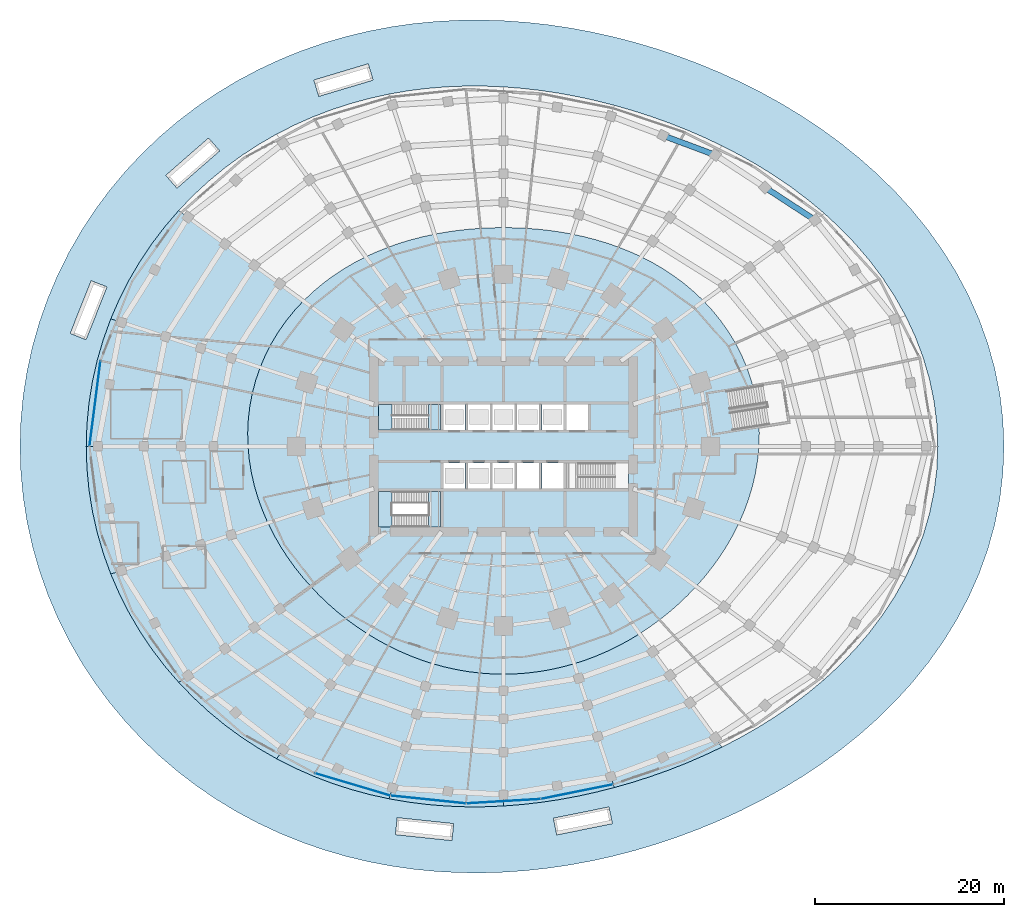
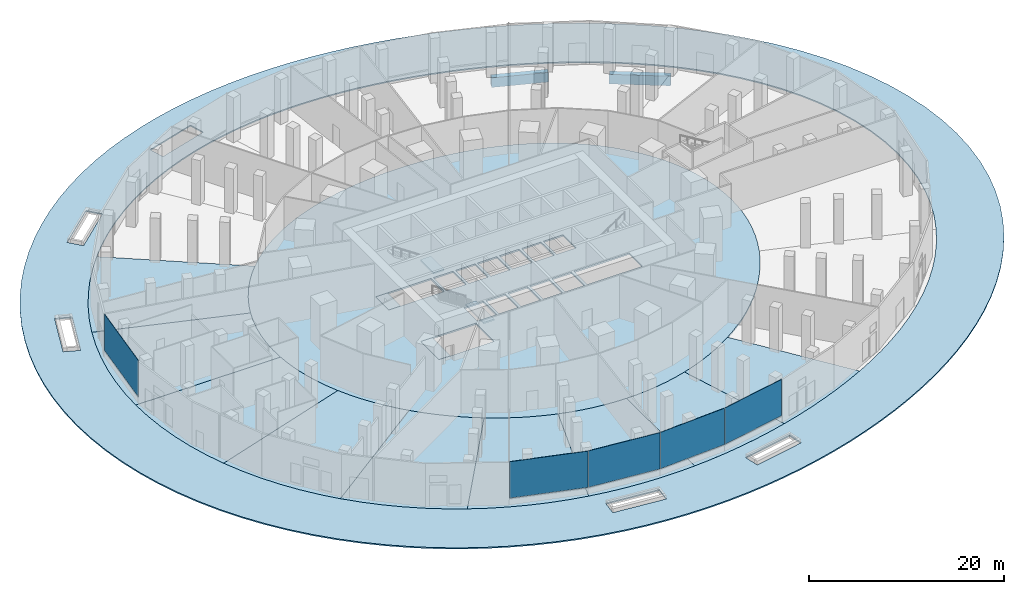
# One storey, part 12 of 23: 15 slabs, 5 plates, 2 beams, 4 elements without a shape of their own.
"""IFC4 building model written with IfcOpenShell, lengths in metres."""

from ifc_helpers import new_model, si_unit, direction, frame, origin, origin_2d, place, context, subcontext, project, spatial, polyline, rectangle, outline, extrude, material, layer, layer_set, material_profile, profile_set, type_object, element, aggregate, save


model = new_model("IFC4")

# Units and contexts
model_context = context("Model", 3, precision=1e-05, world=origin(), true_north=direction((0.0, 1.0)))
body_context = subcontext(model_context, "Body", "Model", "MODEL_VIEW")
ifc_project = project(units=[si_unit("LENGTHUNIT", "METRE"), si_unit("AREAUNIT", "SQUARE_METRE"), si_unit("VOLUMEUNIT", "CUBIC_METRE"), si_unit("PLANEANGLEUNIT", "RADIAN"), si_unit("MASSUNIT", "GRAM", prefix="KILO")], contexts=[model_context])

# Site, building, storey
site_placement = place(None, origin())
site = spatial("IfcSite", under=ifc_project, at=site_placement, CompositionType="ELEMENT")
building_placement = place(site_placement, origin())
building = spatial("IfcBuilding", under=site, at=building_placement, Name="Marramba Exchange Tower", CompositionType="ELEMENT")
storey_placement = place(building_placement, origin())
storey = spatial("IfcBuildingStorey", under=building, at=storey_placement, Name="L00", CompositionType="ELEMENT", Elevation=0.0)

# Beams
ifc_material_1 = material(Name="Concrete N50", Category="concrete")
ifc_material_profile = material_profile(ifc_material_1, rectangle(XDim=0.60009765625, YDim=1.199951171875, at=origin_2d()), Name="RC 600x1200")
ifc_profile_set = profile_set([ifc_material_profile], Name="Concrete N50")
beam_type = type_object("IfcBeamType", Name="Edge beam RC 600x1200 N50", PredefinedType="SPANDREL", material=ifc_profile_set)
beam_1_placement = place(storey_placement, frame((32.93017578125, 23.92529296875, -0.800048828125), z_axis=(-0.837726274184, 0.54609036756, 0.0), x_axis=(-0.54609036756, -0.837726274184, 0.0)))
element("IfcBeam", 1, at=beam_1_placement, inside=storey, type_object=beam_type, Name="Edge beam L00 P0C03 half 1", PredefinedType="SPANDREL", context=body_context, shape_type="SweptSolid", body=[
    extrude(rectangle(XDim=0.60009765625, YDim=1.199951171875, at=origin_2d()), origin(), (0.0, 0.0, 1.0), 6.296875),
])
beam_2_placement = place(storey_placement, frame((22.379638671875, 30.802978515625, -0.800048828125), z_axis=(-0.937168261872, 0.348877699115, 0.0), x_axis=(-0.348877699115, -0.937168261872, 0.0)))
element("IfcBeam", 2, at=beam_2_placement, inside=storey, type_object=beam_type, Name="Edge beam L00 P0C04 half 1", PredefinedType="SPANDREL", context=body_context, shape_type="SweptSolid", body=[
    extrude(rectangle(XDim=0.60009765625, YDim=1.199951171875, at=origin_2d()), origin(), (0.0, 0.0, 1.0), 5.887939453125),
])

# Curtain wall, plate
ifc_material_2 = material(Name="Aluminium framing, bronze anodised", Category="aluminium")
curtain_wall_type = type_object("IfcCurtainWallType", Name="Exchange hall glazed wall", PredefinedType="USERDEFINED", material=ifc_material_2)
curtain_wall_1_placement = place(storey_placement, origin())
curtain_wall_1 = element("IfcCurtainWall", 3, at=curtain_wall_1_placement, inside=storey, type_object=curtain_wall_type, Name="Curtain wall CW1 L00 F15", ObjectType="RIBBON CURTAIN WALL", PredefinedType="USERDEFINED")
ifc_material_3 = material(Name="Laminated double glazed unit 12.76 + 16 + 12.76, bronze tinted", Category="glass")
ifc_layer_1 = layer(ifc_material_3, 0.04150390625)
ifc_layer_set_1 = layer_set([ifc_layer_1], Name="Exchange hall glazed wall panel")
plate_type = type_object("IfcPlateType", Name="Exchange hall glazed wall panel", PredefinedType="CURTAIN_PANEL", material=ifc_layer_set_1)
plate_1_placement = place(storey_placement, frame((-43.170166015625, 4.5263671875, 0.85986328125), z_axis=(0.0, 0.0, 1.0), x_axis=(-0.127060771002, -0.99189493419, 0.0)))
plate_1 = element("IfcPlate", 4, at=plate_1_placement, type_object=plate_type, Name="CW1 vision panel", PredefinedType="CURTAIN_PANEL", context=body_context, shape_type="SweptSolid", body=[
    extrude(rectangle(XDim=9.0068359375, YDim=0.04150390625, at=origin_2d()), origin(), (0.0, 0.0, 1.0), 4.5400390625),
])
aggregate(curtain_wall_1, [plate_1])

# Curtain wall, plates
curtain_wall_2_placement = place(storey_placement, origin())
curtain_wall_2 = element("IfcCurtainWall", 5, at=curtain_wall_2_placement, inside=storey, type_object=curtain_wall_type, Name="Curtain wall CW1 L00 F21-F24", ObjectType="RIBBON CURTAIN WALL", PredefinedType="USERDEFINED")
plate_2_placement = place(storey_placement, frame((-15.936767578125, -35.729736328125, 0.85986328125), z_axis=(0.0, 0.0, 1.0), x_axis=(0.958342724342, -0.285620767277, 0.0)))
plate_2 = element("IfcPlate", 6, at=plate_2_placement, type_object=plate_type, Name="CW1 vision panel", PredefinedType="CURTAIN_PANEL", context=body_context, shape_type="SweptSolid", body=[
    extrude(rectangle(XDim=8.23388671875, YDim=0.04150390625, at=origin_2d()), origin(), (0.0, 0.0, 1.0), 4.5400390625),
])
plate_3_placement = place(storey_placement, frame((-7.948974609375, -37.324462890625, 0.85986328125), z_axis=(0.0, 0.0, 1.0), x_axis=(0.994676919523, -0.103042834628, 0.0)))
plate_3 = element("IfcPlate", 7, at=plate_3_placement, type_object=plate_type, Name="CW1 vision panel", PredefinedType="CURTAIN_PANEL", context=body_context, shape_type="SweptSolid", body=[
    extrude(rectangle(XDim=8.008056640625, YDim=0.04150390625, at=origin_2d()), origin(), (0.0, 0.0, 1.0), 4.5400390625),
])
plate_4_placement = place(storey_placement, frame((0.00537109375, -37.50146484375, 0.85986328125), z_axis=(0.0, 0.0, 1.0), x_axis=(0.998243557046, 0.059243571935, 0.0)))
plate_4 = element("IfcPlate", 8, at=plate_4_placement, type_object=plate_type, Name="CW1 vision panel", PredefinedType="CURTAIN_PANEL", context=body_context, shape_type="SweptSolid", body=[
    extrude(rectangle(XDim=7.83740234375, YDim=0.04150390625, at=origin_2d()), origin(), (0.0, 0.0, 1.0), 4.5400390625),
])
plate_5_placement = place(storey_placement, frame((7.76171875, -36.49462890625, 0.85986328125), z_axis=(0.0, 0.0, 1.0), x_axis=(0.980295806673, 0.197535139708, 0.0)))
plate_5 = element("IfcPlate", 9, at=plate_5_placement, type_object=plate_type, Name="CW1 vision panel", PredefinedType="CURTAIN_PANEL", context=body_context, shape_type="SweptSolid", body=[
    extrude(rectangle(XDim=7.723388671875, YDim=0.04150390625, at=origin_2d()), origin(), (0.0, 0.0, 1.0), 4.5400390625),
])
aggregate(curtain_wall_2, [plate_2, plate_3, plate_4, plate_5])

# Slabs
ifc_material_4 = material(Name="Concrete N40", Category="concrete")
ifc_layer_2 = layer(ifc_material_4, 0.199951171875)
ifc_layer_set_2 = layer_set([ifc_layer_2], Name="Floor slab 200")
slab_type_1 = type_object("IfcSlabType", Name="Floor slab 200", PredefinedType="FLOOR", material=ifc_layer_set_2)
slab_1_placement = place(storey_placement, frame((0.0, 0.0, -0.199951171875)))
element("IfcSlab", 10, at=slab_1_placement, inside=storey, type_object=slab_type_1, Name="Floor slab L00", PredefinedType="FLOOR", context=body_context, shape_type="SweptSolid", body=[
    extrude(outline(polyline([(26.8671875, -1.407958984375), (26.64111328125, -2.800048828125), (26.326171875, -4.169677734375), (25.927001953125, -5.510986328125), (25.44921875, -6.819091796875), (24.8984375, -8.090087890625), (24.280517578125, -9.320556640625), (23.60107421875, -10.5078125), (22.865234375, -11.650390625), (22.078369140625, -12.7470703125), (21.244873046875, -13.796630859375), (20.36865234375, -14.798583984375), (19.453369140625, -15.753173828125), (18.502197265625, -16.659423828125), (17.517578125, -17.517578125), (16.501953125, -18.327392578125), (15.457275390625, -19.088134765625), (14.385009765625, -19.799072265625), (13.286865234375, -20.459716796875), (12.164306640625, -21.069091796875), (11.01904296875, -21.6259765625), (9.8525390625, -22.129150390625), (8.66650390625, -22.577392578125), (7.463134765625, -22.968994140625), (6.244140625, -23.30322265625), (5.01171875, -23.578369140625), (3.7685546875, -23.793701171875), (2.51708984375, -23.947998046875), (1.260009765625, -24.041015625), (0.0, -24.072021484375), (-1.260009765625, -24.041015625), (-2.51708984375, -23.947998046875), (-3.7685546875, -23.793701171875), (-5.01171875, -23.578369140625), (-6.244140625, -23.30322265625), (-7.463134765625, -22.968994140625), (-8.66650390625, -22.577392578125), (-9.8525390625, -22.129150390625), (-11.01904296875, -21.6259765625), (-12.164306640625, -21.069091796875), (-13.286865234375, -20.459716796875), (-14.385009765625, -19.799072265625), (-15.457275390625, -19.088134765625), (-16.501953125, -18.327392578125), (-17.517578125, -17.517578125), (-18.502197265625, -16.659423828125), (-19.453369140625, -15.753173828125), (-20.36865234375, -14.798583984375), (-21.244873046875, -13.796630859375), (-22.078369140625, -12.7470703125), (-22.865234375, -11.650390625), (-23.60107421875, -10.5078125), (-24.280517578125, -9.320556640625), (-24.8984375, -8.090087890625), (-25.44921875, -6.819091796875), (-25.927001953125, -5.510986328125), (-26.326171875, -4.169677734375), (-26.64111328125, -2.800048828125), (-26.8671875, -1.407958984375), (-27.0, 0.0), (-27.035888671875, 1.4169921875), (-26.97265625, 2.8349609375), (-26.80859375, 4.24609375), (-26.5439453125, 5.64208984375), (-26.179443359375, 7.0146484375), (-25.717529296875, 8.356201171875), (-25.16162109375, 9.65869140625), (-24.516357421875, 10.915283203125), (-23.786865234375, 12.1201171875), (-22.9794921875, 13.267333984375), (-22.10107421875, 14.3525390625), (-21.158447265625, 15.37255859375), (-20.159423828125, 16.32470703125), (-19.11083984375, 17.20751953125), (-18.020263671875, 18.020263671875), (-16.89453125, 18.763427734375), (-15.740478515625, 19.437744140625), (-14.563720703125, 20.04541015625), (-13.3701171875, 20.588134765625), (-12.164306640625, 21.069091796875), (-10.9501953125, 21.4912109375), (-9.7314453125, 21.857421875), (-8.5107421875, 22.1708984375), (-7.289794921875, 22.435302734375), (-6.06982421875, 22.6533203125), (-4.85205078125, 22.827392578125), (-3.636474609375, 22.96044921875), (-2.423095703125, 23.053955078125), (-1.211181640625, 23.109619140625), (0.0, 23.1279296875), (1.211181640625, 23.109619140625), (2.423095703125, 23.053955078125), (3.636474609375, 22.96044921875), (4.85205078125, 22.827392578125), (6.06982421875, 22.6533203125), (7.289794921875, 22.435302734375), (8.5107421875, 22.1708984375), (9.7314453125, 21.857421875), (10.9501953125, 21.4912109375), (12.164306640625, 21.069091796875), (13.3701171875, 20.588134765625), (14.563720703125, 20.04541015625), (15.740478515625, 19.437744140625), (16.89453125, 18.763427734375), (18.020263671875, 18.020263671875), (19.11083984375, 17.20751953125), (20.159423828125, 16.32470703125), (21.158447265625, 15.37255859375), (22.10107421875, 14.3525390625), (22.9794921875, 13.267333984375), (23.786865234375, 12.1201171875), (24.516357421875, 10.915283203125), (25.16162109375, 9.65869140625), (25.717529296875, 8.356201171875), (26.179443359375, 7.0146484375), (26.5439453125, 5.64208984375), (26.80859375, 4.24609375), (26.97265625, 2.8349609375), (27.035888671875, 1.4169921875), (27.0, 0.0), (26.8671875, -1.407958984375)]), holes=[polyline([(-4.050048828125, 1.75), (-4.050048828125, 4.449951171875), (-6.35009765625, 4.449951171875), (-6.35009765625, 1.75), (-4.050048828125, 1.75)]), polyline([(-1.449951171875, 1.75), (-1.449951171875, 4.449951171875), (-3.75, 4.449951171875), (-3.75, 1.75), (-1.449951171875, 1.75)]), polyline([(1.14990234375, 1.75), (1.14990234375, 4.449951171875), (-1.14990234375, 4.449951171875), (-1.14990234375, 1.75), (1.14990234375, 1.75)]), polyline([(3.75, 1.75), (3.75, 4.449951171875), (1.449951171875, 4.449951171875), (1.449951171875, 1.75), (3.75, 1.75)]), polyline([(6.35009765625, 1.75), (6.35009765625, 4.449951171875), (4.050048828125, 4.449951171875), (4.050048828125, 1.75), (6.35009765625, 1.75)]), polyline([(-4.050048828125, -4.449951171875), (-4.050048828125, -1.75), (-6.35009765625, -1.75), (-6.35009765625, -4.449951171875), (-4.050048828125, -4.449951171875)]), polyline([(-1.449951171875, -4.449951171875), (-1.449951171875, -1.75), (-3.75, -1.75), (-3.75, -4.449951171875), (-1.449951171875, -4.449951171875)]), polyline([(1.14990234375, -4.449951171875), (1.14990234375, -1.75), (-1.14990234375, -1.75), (-1.14990234375, -4.449951171875), (1.14990234375, -4.449951171875)]), polyline([(3.75, -4.449951171875), (3.75, -1.75), (1.449951171875, -1.75), (1.449951171875, -4.449951171875), (3.75, -4.449951171875)]), polyline([(6.35009765625, -4.449951171875), (6.35009765625, -1.75), (4.050048828125, -1.75), (4.050048828125, -4.449951171875), (6.35009765625, -4.449951171875)]), polyline([(8.949951171875, 1.75), (8.949951171875, 4.449951171875), (6.64990234375, 4.449951171875), (6.64990234375, 1.75), (8.949951171875, 1.75)]), polyline([(-6.64990234375, 1.75), (-6.64990234375, 4.449951171875), (-13.199951171875, 4.449951171875), (-13.199951171875, 1.75), (-6.64990234375, 1.75)]), polyline([(13.199951171875, -4.449951171875), (13.199951171875, -1.75), (6.64990234375, -1.75), (6.64990234375, -4.449951171875), (13.199951171875, -4.449951171875)]), polyline([(-6.64990234375, -8.5), (-6.64990234375, -4.75), (-13.199951171875, -4.75), (-13.199951171875, -8.5), (-6.64990234375, -8.5)])]), origin(), (0.0, 0.0, 1.0), 0.199951171875),
])
slab_2_placement = place(storey_placement, frame((0.0, 0.0, -0.199951171875)))
element("IfcSlab", 11, at=slab_2_placement, inside=storey, type_object=slab_type_1, Name="Floor slab L00 podium bay 09", PredefinedType="FLOOR", context=body_context, shape_type="SweptSolid", body=[
    extrude(outline(polyline([(-41.504638671875, 13.485595703125), (-40.593994140625, 15.58251953125), (-39.56005859375, 17.61328125), (-38.408935546875, 19.5703125), (-37.147705078125, 21.447265625), (-35.782958984375, 23.23779296875), (-34.32275390625, 24.93701171875), (-21.158447265625, 15.37255859375), (-22.10107421875, 14.3525390625), (-22.9794921875, 13.267333984375), (-23.786865234375, 12.1201171875), (-24.516357421875, 10.915283203125), (-25.16162109375, 9.65869140625), (-25.717529296875, 8.356201171875), (-41.504638671875, 13.485595703125)])), origin(), (0.0, 0.0, 1.0), 0.199951171875),
])
slab_3_placement = place(storey_placement, frame((0.0, 0.0, -0.199951171875)))
element("IfcSlab", 12, at=slab_3_placement, inside=storey, type_object=slab_type_1, Name="Floor slab L00 podium bay 10", PredefinedType="FLOOR", context=body_context, shape_type="SweptSolid", body=[
    extrude(outline(polyline([(-44.0263671875, 2.307373046875), (-43.80615234375, 4.604248046875), (-43.440673828125, 6.88037109375), (-42.9326171875, 9.125732421875), (-42.285888671875, 11.33056640625), (-41.504638671875, 13.485595703125), (-25.717529296875, 8.356201171875), (-26.179443359375, 7.0146484375), (-26.5439453125, 5.64208984375), (-26.80859375, 4.24609375), (-26.97265625, 2.8349609375), (-27.035888671875, 1.4169921875), (-27.0, 0.0), (-44.10009765625, 0.0), (-44.0263671875, 2.307373046875)])), origin(), (0.0, 0.0, 1.0), 0.199951171875),
])
slab_4_placement = place(storey_placement, frame((0.0, 0.0, -0.199951171875)))
element("IfcSlab", 13, at=slab_4_placement, inside=storey, type_object=slab_type_1, Name="Floor slab L00 podium bay 11", PredefinedType="FLOOR", context=body_context, shape_type="SweptSolid", body=[
    extrude(outline(polyline([(-42.285888671875, -11.33056640625), (-42.9326171875, -9.125732421875), (-43.440673828125, -6.88037109375), (-43.80615234375, -4.604248046875), (-44.0263671875, -2.307373046875), (-44.10009765625, 0.0), (-27.0, 0.0), (-26.8671875, -1.407958984375), (-26.64111328125, -2.800048828125), (-26.326171875, -4.169677734375), (-25.927001953125, -5.510986328125), (-25.44921875, -6.819091796875), (-24.8984375, -8.090087890625), (-41.504638671875, -13.485595703125), (-42.285888671875, -11.33056640625)])), origin(), (0.0, 0.0, 1.0), 0.199951171875),
])
slab_5_placement = place(storey_placement, frame((0.0, 0.0, -0.199951171875)))
element("IfcSlab", 14, at=slab_5_placement, inside=storey, type_object=slab_type_1, Name="Floor slab L00 podium bay 12", PredefinedType="FLOOR", context=body_context, shape_type="SweptSolid", body=[
    extrude(outline(polyline([(-35.782958984375, -23.23779296875), (-37.147705078125, -21.447265625), (-38.408935546875, -19.5703125), (-39.56005859375, -17.61328125), (-40.593994140625, -15.58251953125), (-41.504638671875, -13.485595703125), (-24.8984375, -8.090087890625), (-24.280517578125, -9.320556640625), (-23.60107421875, -10.5078125), (-22.865234375, -11.650390625), (-22.078369140625, -12.7470703125), (-21.244873046875, -13.796630859375), (-20.36865234375, -14.798583984375), (-34.32275390625, -24.93701171875), (-35.782958984375, -23.23779296875)])), origin(), (0.0, 0.0, 1.0), 0.199951171875),
])
slab_6_placement = place(storey_placement, frame((0.0, 0.0, -0.199951171875)))
element("IfcSlab", 15, at=slab_6_placement, inside=storey, type_object=slab_type_1, Name="Floor slab L00 podium bay 13", PredefinedType="FLOOR", context=body_context, shape_type="SweptSolid", body=[
    extrude(outline(polyline([(-23.980224609375, -33.005859375), (-25.853515625, -31.92626953125), (-27.67724609375, -30.738525390625), (-29.44384765625, -29.44384765625), (-31.145263671875, -28.04345703125), (-32.774169921875, -26.5400390625), (-34.32275390625, -24.93701171875), (-20.36865234375, -14.798583984375), (-19.453369140625, -15.753173828125), (-18.502197265625, -16.659423828125), (-17.517578125, -17.517578125), (-16.501953125, -18.327392578125), (-15.457275390625, -19.088134765625), (-14.385009765625, -19.799072265625), (-23.980224609375, -33.005859375)])), origin(), (0.0, 0.0, 1.0), 0.199951171875),
])
slab_7_placement = place(storey_placement, frame((0.0, 0.0, -0.199951171875)))
element("IfcSlab", 16, at=slab_7_placement, inside=storey, type_object=slab_type_1, Name="Floor slab L00 podium bay 14", PredefinedType="FLOOR", context=body_context, shape_type="SweptSolid", body=[
    extrude(outline(polyline([(-14.123291015625, -36.79248046875), (-16.1376953125, -36.24560546875), (-18.136962890625, -35.595703125), (-20.11474609375, -34.83984375), (-22.06494140625, -33.97705078125), (-23.980224609375, -33.005859375), (-14.385009765625, -19.799072265625), (-13.286865234375, -20.459716796875), (-12.164306640625, -21.069091796875), (-11.01904296875, -21.6259765625), (-9.8525390625, -22.129150390625), (-8.66650390625, -22.577392578125), (-7.463134765625, -22.968994140625), (-12.099609375, -37.238525390625), (-14.123291015625, -36.79248046875)])), origin(), (0.0, 0.0, 1.0), 0.199951171875),
])
slab_8_placement = place(storey_placement, frame((0.0, 0.0, -0.199951171875)))
element("IfcSlab", 17, at=slab_8_placement, inside=storey, type_object=slab_type_1, Name="Floor slab L00 podium bay 15", PredefinedType="FLOOR", context=body_context, shape_type="SweptSolid", body=[
    extrude(outline(polyline([(-1.995849609375, -38.08154296875), (-4.0029296875, -38.085205078125), (-6.019775390625, -38.006591796875), (-8.04345703125, -37.842041015625), (-10.071533203125, -37.587158203125), (-12.099609375, -37.238525390625), (-7.463134765625, -22.968994140625), (-6.244140625, -23.30322265625), (-5.01171875, -23.578369140625), (-3.7685546875, -23.793701171875), (-2.51708984375, -23.947998046875), (-1.260009765625, -24.041015625), (0.0, -24.072021484375), (0.0, -38.0), (-1.995849609375, -38.08154296875)])), origin(), (0.0, 0.0, 1.0), 0.199951171875),
])
slab_9_placement = place(storey_placement, frame((0.0, 0.0, -0.199951171875)))
element("IfcSlab", 18, at=slab_9_placement, inside=storey, type_object=slab_type_1, Name="Floor slab L00 podium bay 16", PredefinedType="FLOOR", context=body_context, shape_type="SweptSolid", body=[
    extrude(outline(polyline([(11.714111328125, -36.052734375), (9.79052734375, -36.538818359375), (7.856689453125, -36.962646484375), (5.911376953125, -37.322509765625), (3.95361328125, -37.6171875), (1.9833984375, -37.843994140625), (0.0, -38.0), (0.0, -24.072021484375), (1.260009765625, -24.041015625), (2.51708984375, -23.947998046875), (3.7685546875, -23.793701171875), (5.01171875, -23.578369140625), (6.244140625, -23.30322265625), (7.463134765625, -22.968994140625), (11.714111328125, -36.052734375)])), origin(), (0.0, 0.0, 1.0), 0.199951171875),
])
slab_10_placement = place(storey_placement, frame((0.0, 0.0, -0.199951171875)))
element("IfcSlab", 19, at=slab_10_placement, inside=storey, type_object=slab_type_1, Name="Floor slab L00 podium bay 17", PredefinedType="FLOOR", context=body_context, shape_type="SweptSolid", body=[
    extrude(outline(polyline([(21.210205078125, -32.66064453125), (19.325927734375, -33.4736328125), (17.43408203125, -34.216552734375), (15.53515625, -34.892578125), (13.628662109375, -35.504150390625), (11.714111328125, -36.052734375), (7.463134765625, -22.968994140625), (8.66650390625, -22.577392578125), (9.8525390625, -22.129150390625), (11.01904296875, -21.6259765625), (12.164306640625, -21.069091796875), (13.286865234375, -20.459716796875), (14.385009765625, -19.799072265625), (23.0849609375, -31.773681640625), (21.210205078125, -32.66064453125)])), origin(), (0.0, 0.0, 1.0), 0.199951171875),
])

# Stair, slabs
ifc_material_5 = material(Name="Concrete N40 (40 MPa)", Category="concrete")
stair_type_1 = type_object("IfcStairType", Name="Exit stair ST1 5600 x 1250", PredefinedType="HALF_TURN_STAIR", material=ifc_material_5)
stair_1_placement = place(storey_placement, origin())
stair_1 = element("IfcStair", 20, at=stair_1_placement, inside=storey, type_object=stair_type_1, Name="Exit stair ST1 L00", PredefinedType="HALF_TURN_STAIR")
ifc_layer_3 = layer(ifc_material_5, 0.199951171875)
ifc_layer_set_3 = layer_set([ifc_layer_3], Name="Stair landing 200")
slab_type_2 = type_object("IfcSlabType", Name="Stair landing 200", PredefinedType="LANDING", material=ifc_layer_set_3)
slab_11_placement = place(storey_placement, frame((0.0, 0.0, -0.199951171875)))
slab_11 = element("IfcSlab", 21, at=slab_11_placement, type_object=slab_type_2, Name="ST1 landing 1", PredefinedType="LANDING", context=body_context, shape_type="SweptSolid", body=[
    extrude(outline(polyline([(-13.199951171875, 1.75), (-11.800048828125, 1.75), (-11.800048828125, 4.449951171875), (-13.199951171875, 4.449951171875), (-13.199951171875, 1.75)])), origin(), (0.0, 0.0, 1.0), 0.199951171875),
])
slab_12_placement = place(storey_placement, frame((0.0, 0.0, 2.60009765625)))
slab_12 = element("IfcSlab", 22, at=slab_12_placement, type_object=slab_type_2, Name="ST1 landing 2", PredefinedType="LANDING", context=body_context, shape_type="SweptSolid", body=[
    extrude(outline(polyline([(-7.89990234375, 1.75), (-6.64990234375, 1.75), (-6.64990234375, 4.449951171875), (-7.89990234375, 4.449951171875), (-7.89990234375, 1.75)])), origin(), (0.0, 0.0, 1.0), 0.199951171875),
])
aggregate(stair_1, [slab_11, slab_12])

stair_type_2 = type_object("IfcStairType", Name="Exit stair ST3 5600 x 1250", PredefinedType="HALF_TURN_STAIR", material=ifc_material_5)
stair_2_placement = place(storey_placement, origin())
stair_2 = element("IfcStair", 23, at=stair_2_placement, inside=storey, type_object=stair_type_2, Name="Exit stair ST3 L00", PredefinedType="HALF_TURN_STAIR")
slab_13_placement = place(storey_placement, frame((0.0, 0.0, -0.199951171875)))
slab_13 = element("IfcSlab", 24, at=slab_13_placement, type_object=slab_type_2, Name="ST3 landing 1", PredefinedType="LANDING", context=body_context, shape_type="SweptSolid", body=[
    extrude(outline(polyline([(-13.199951171875, -8.5), (-11.800048828125, -8.5), (-11.800048828125, -4.75), (-13.199951171875, -4.75), (-13.199951171875, -8.5)])), origin(), (0.0, 0.0, 1.0), 0.199951171875),
])
slab_14_placement = place(storey_placement, frame((0.0, 0.0, 2.60009765625)))
slab_14 = element("IfcSlab", 25, at=slab_14_placement, type_object=slab_type_2, Name="ST3 landing 2", PredefinedType="LANDING", context=body_context, shape_type="SweptSolid", body=[
    extrude(outline(polyline([(-7.89990234375, -8.5), (-6.64990234375, -8.5), (-6.64990234375, -4.75), (-7.89990234375, -4.75), (-7.89990234375, -8.5)])), origin(), (0.0, 0.0, 1.0), 0.199951171875),
])
aggregate(stair_2, [slab_13, slab_14])

# Slab
ifc_material_6 = material(Name="Granite paving on concrete base", Category="masonry")
ifc_layer_4 = layer(ifc_material_6, 0.14990234375)
ifc_layer_set_4 = layer_set([ifc_layer_4], Name="Street paving 150")
slab_type_3 = type_object("IfcSlabType", Name="Street paving 150", PredefinedType="USERDEFINED", material=ifc_layer_set_4)
slab_15_placement = place(storey_placement, frame((0.0, 0.0, -0.14990234375)))
element("IfcSlab", 26, at=slab_15_placement, inside=storey, type_object=slab_type_3, Name="Street paving", ObjectType="PAVING", PredefinedType="USERDEFINED", context=body_context, shape_type="SweptSolid", body=[
    extrude(outline(polyline([(52.89990234375, 0.0), (52.791259765625, 2.7666015625), (52.466552734375, 5.514404296875), (51.9306640625, 8.22509765625), (51.19189453125, 10.881103515625), (50.260498046875, 13.46728515625), (49.1494140625, 15.9697265625), (47.873046875, 18.376708984375), (46.447021484375, 20.679443359375), (44.88720703125, 22.87109375), (43.209716796875, 24.947265625), (41.430419921875, 26.9052734375), (39.564208984375, 28.7451171875), (37.62451171875, 30.4677734375), (35.62353515625, 32.07568359375), (33.572265625, 33.572265625), (31.479736328125, 34.961669921875), (29.353515625, 36.24853515625), (27.199462890625, 37.43701171875), (25.0224609375, 38.53125), (22.825927734375, 39.535888671875), (20.612060546875, 40.45361328125), (18.38232421875, 41.287353515625), (16.137451171875, 42.039306640625), (13.87744140625, 42.710205078125), (11.602294921875, 43.30029296875), (9.31201171875, 43.8095703125), (7.00634765625, 44.236328125), (4.685546875, 44.578857421875), (2.349609375, 44.83447265625), (0.0, 45.0), (-2.362060546875, 45.072021484375), (-4.734619140625, 45.046875), (-7.11474609375, 44.92041015625), (-9.4990234375, 44.68896484375), (-11.88330078125, 44.3486328125), (-14.2626953125, 43.89599609375), (-16.6318359375, 43.32763671875), (-18.98486328125, 42.640625), (-21.314697265625, 41.83251953125), (-23.61474609375, 40.902099609375), (-25.87744140625, 39.84765625), (-28.0947265625, 38.669189453125), (-30.2587890625, 37.366455078125), (-32.361083984375, 35.940673828125), (-34.3935546875, 34.3935546875), (-36.347412109375, 32.727294921875), (-38.21435546875, 30.9453125), (-39.98583984375, 29.051513671875), (-41.65380859375, 27.05029296875), (-43.209716796875, 24.947265625), (-44.64599609375, 22.748291015625), (-45.954833984375, 20.46044921875), (-47.129150390625, 18.091064453125), (-48.162109375, 15.648681640625), (-49.04736328125, 13.14208984375), (-49.77978515625, 10.5810546875), (-50.3544921875, 7.975341796875), (-50.767578125, 5.3359375), (-51.016845703125, 2.673583984375), (-51.10009765625, 0.0), (-51.016845703125, -2.673583984375), (-50.767578125, -5.3359375), (-50.3544921875, -7.975341796875), (-49.77978515625, -10.5810546875), (-49.04736328125, -13.14208984375), (-48.162109375, -15.648681640625), (-47.129150390625, -18.091064453125), (-45.954833984375, -20.46044921875), (-44.64599609375, -22.748291015625), (-43.209716796875, -24.947265625), (-41.65380859375, -27.05029296875), (-39.98583984375, -29.051513671875), (-38.21435546875, -30.9453125), (-36.347412109375, -32.727294921875), (-34.3935546875, -34.3935546875), (-32.361083984375, -35.940673828125), (-30.2587890625, -37.366455078125), (-28.0947265625, -38.669189453125), (-25.87744140625, -39.84765625), (-23.61474609375, -40.902099609375), (-21.314697265625, -41.83251953125), (-18.98486328125, -42.640625), (-16.6318359375, -43.32763671875), (-14.2626953125, -43.89599609375), (-11.88330078125, -44.3486328125), (-9.4990234375, -44.68896484375), (-7.11474609375, -44.92041015625), (-4.734619140625, -45.046875), (-2.362060546875, -45.072021484375), (0.0, -45.0), (2.349609375, -44.83447265625), (4.685546875, -44.578857421875), (7.00634765625, -44.236328125), (9.31201171875, -43.8095703125), (11.602294921875, -43.30029296875), (13.87744140625, -42.710205078125), (16.137451171875, -42.039306640625), (18.38232421875, -41.287353515625), (20.612060546875, -40.45361328125), (22.825927734375, -39.535888671875), (25.0224609375, -38.53125), (27.199462890625, -37.43701171875), (29.353515625, -36.24853515625), (31.479736328125, -34.961669921875), (33.572265625, -33.572265625), (35.62353515625, -32.07568359375), (37.62451171875, -30.4677734375), (39.564208984375, -28.7451171875), (41.430419921875, -26.9052734375), (43.209716796875, -24.947265625), (44.88720703125, -22.87109375), (46.447021484375, -20.679443359375), (47.873046875, -18.376708984375), (49.1494140625, -15.9697265625), (50.260498046875, -13.46728515625), (51.19189453125, -10.881103515625), (51.9306640625, -8.22509765625), (52.466552734375, -5.514404296875), (52.791259765625, -2.7666015625), (52.89990234375, 0.0)]), holes=[polyline([(45.89990234375, 0.0), (45.80078125, 2.400390625), (45.5048828125, 4.78271484375), (45.016845703125, 7.1298828125), (44.344970703125, 9.42578125), (43.4990234375, 11.655517578125), (42.491943359375, 13.806396484375), (41.337890625, 15.8681640625), (40.052001953125, 17.832275390625), (38.650146484375, 19.693115234375), (37.147705078125, 21.447265625), (35.559814453125, 23.0927734375), (33.901123046875, 24.630615234375), (32.1845703125, 26.0625), (30.421630859375, 27.391845703125), (28.62255859375, 28.62255859375), (26.7958984375, 29.759765625), (24.9482421875, 30.808349609375), (23.0849609375, 31.773681640625), (21.210205078125, 32.66064453125), (19.325927734375, 33.4736328125), (17.43408203125, 34.216552734375), (15.53515625, 34.892578125), (13.628662109375, 35.504150390625), (11.714111328125, 36.052734375), (9.79052734375, 36.538818359375), (7.856689453125, 36.962646484375), (5.911376953125, 37.322509765625), (3.95361328125, 37.6171875), (1.9833984375, 37.843994140625), (0.0, 38.0), (-1.995849609375, 38.08154296875), (-4.0029296875, 38.085205078125), (-6.019775390625, 38.006591796875), (-8.04345703125, 37.842041015625), (-10.071533203125, 37.587158203125), (-12.099609375, 37.238525390625), (-14.123291015625, 36.79248046875), (-16.1376953125, 36.24560546875), (-18.136962890625, 35.595703125), (-20.11474609375, 34.83984375), (-22.06494140625, 33.97705078125), (-23.980224609375, 33.005859375), (-25.853515625, 31.92626953125), (-27.67724609375, 30.738525390625), (-29.44384765625, 29.44384765625), (-31.145263671875, 28.04345703125), (-32.774169921875, 26.5400390625), (-34.32275390625, 24.93701171875), (-35.782958984375, 23.23779296875), (-37.147705078125, 21.447265625), (-38.408935546875, 19.5703125), (-39.56005859375, 17.61328125), (-40.593994140625, 15.58251953125), (-41.504638671875, 13.485595703125), (-42.285888671875, 11.33056640625), (-42.9326171875, 9.125732421875), (-43.440673828125, 6.88037109375), (-43.80615234375, 4.604248046875), (-44.0263671875, 2.307373046875), (-44.10009765625, 0.0), (-44.0263671875, -2.307373046875), (-43.80615234375, -4.604248046875), (-43.440673828125, -6.88037109375), (-42.9326171875, -9.125732421875), (-42.285888671875, -11.33056640625), (-41.504638671875, -13.485595703125), (-40.593994140625, -15.58251953125), (-39.56005859375, -17.61328125), (-38.408935546875, -19.5703125), (-37.147705078125, -21.447265625), (-35.782958984375, -23.23779296875), (-34.32275390625, -24.93701171875), (-32.774169921875, -26.5400390625), (-31.145263671875, -28.04345703125), (-29.44384765625, -29.44384765625), (-27.67724609375, -30.738525390625), (-25.853515625, -31.92626953125), (-23.980224609375, -33.005859375), (-22.06494140625, -33.97705078125), (-20.11474609375, -34.83984375), (-18.136962890625, -35.595703125), (-16.1376953125, -36.24560546875), (-14.123291015625, -36.79248046875), (-12.099609375, -37.238525390625), (-10.071533203125, -37.587158203125), (-8.04345703125, -37.842041015625), (-6.019775390625, -38.006591796875), (-4.0029296875, -38.085205078125), (-1.995849609375, -38.08154296875), (0.0, -38.0), (1.9833984375, -37.843994140625), (3.95361328125, -37.6171875), (5.911376953125, -37.322509765625), (7.856689453125, -36.962646484375), (9.79052734375, -36.538818359375), (11.714111328125, -36.052734375), (13.628662109375, -35.504150390625), (15.53515625, -34.892578125), (17.43408203125, -34.216552734375), (19.325927734375, -33.4736328125), (21.210205078125, -32.66064453125), (23.0849609375, -31.773681640625), (24.9482421875, -30.808349609375), (26.7958984375, -29.759765625), (28.62255859375, -28.62255859375), (30.421630859375, -27.391845703125), (32.1845703125, -26.0625), (33.901123046875, -24.630615234375), (35.559814453125, -23.0927734375), (37.147705078125, -21.447265625), (38.650146484375, -19.693115234375), (40.052001953125, -17.832275390625), (41.337890625, -15.8681640625), (42.491943359375, -13.806396484375), (43.4990234375, -11.655517578125), (44.344970703125, -9.42578125), (45.016845703125, -7.1298828125), (45.5048828125, -4.78271484375), (45.80078125, -2.400390625), (45.89990234375, 0.0)]), polyline([(-13.77783203125, 38.719482421875), (-19.52587890625, 36.999267578125), (-20.0419921875, 38.723876953125), (-14.2939453125, 40.444091796875), (-13.77783203125, 38.719482421875)]), polyline([(-29.989501953125, 31.241943359375), (-34.509521484375, 27.296142578125), (-35.693359375, 28.652099609375), (-31.17333984375, 32.59814453125), (-29.989501953125, 31.241943359375)]), polyline([(-41.904296875, 16.859130859375), (-44.119873046875, 11.283203125), (-45.792724609375, 11.94775390625), (-43.5771484375, 17.523681640625), (-41.904296875, 16.859130859375)]), polyline([(-11.232666015625, -39.239501953125), (-5.26513671875, -39.863525390625), (-5.4521484375, -41.65380859375), (-11.419677734375, -41.02978515625), (-11.232666015625, -39.239501953125)]), polyline([(5.2685546875, -39.29052734375), (11.150390625, -38.104736328125), (11.506103515625, -39.869140625), (5.624267578125, -41.054931640625), (5.2685546875, -39.29052734375)])]), origin(), (0.0, 0.0, 1.0), 0.14990234375),
])

save(model, "model.ifc")
